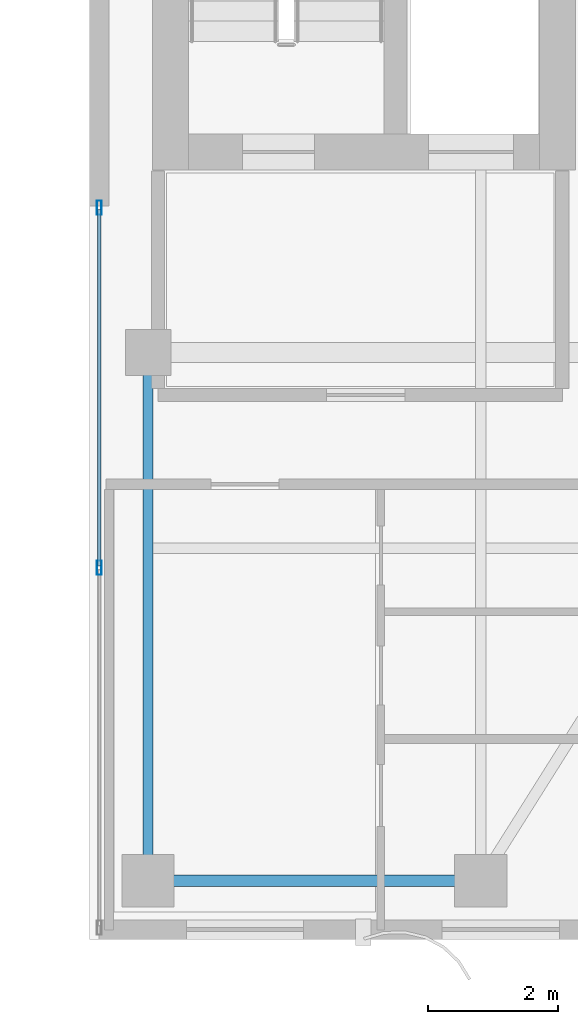
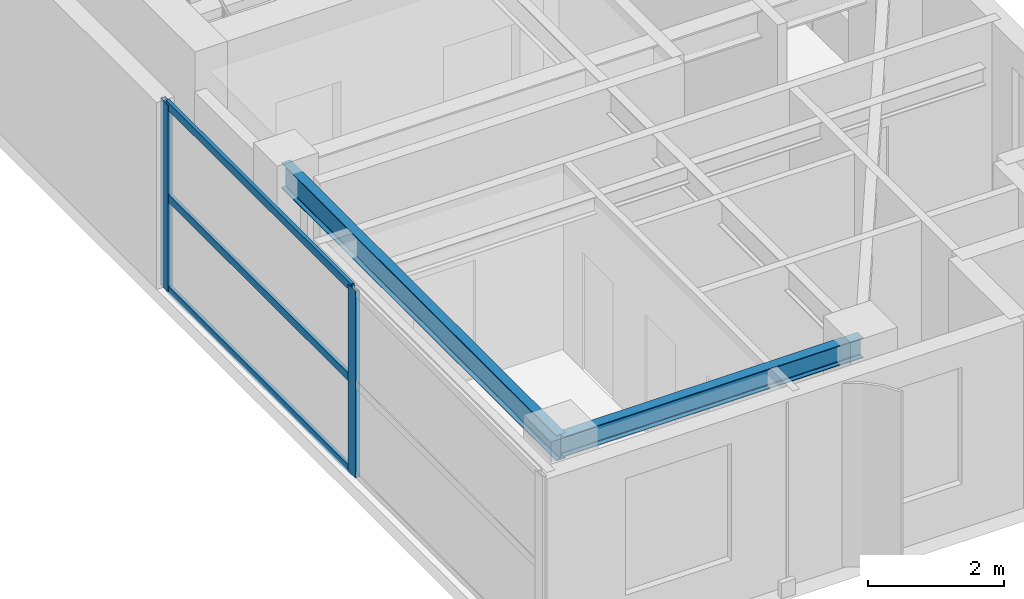
# One storey, part 5 of 24: 5 members, 2 beams, 1 element without a shape of its own.
"""IFC4 building model written with IfcOpenShell, lengths in metres."""

from ifc_helpers import new_model, si_unit, direction, frame, origin, origin_2d, place, context, subcontext, project, spatial, hollow_rectangle, i_section, extrude, source, transform, mapped, material, layer, layer_set, material_profile, profile_set, type_object, element, aggregate, save


model = new_model("IFC4")

# Units and contexts
model_context = context("Model", 3, precision=1e-05, world=origin(), true_north=direction((0.0, 1.0)))
body_context = subcontext(model_context, "Body", "Model", "MODEL_VIEW")
ifc_project = project(units=[si_unit("LENGTHUNIT", "METRE"), si_unit("AREAUNIT", "SQUARE_METRE"), si_unit("VOLUMEUNIT", "CUBIC_METRE"), si_unit("PLANEANGLEUNIT", "RADIAN"), si_unit("MASSUNIT", "GRAM", prefix="KILO")], contexts=[model_context])

# Site, building, storey
site_placement = place(None, origin())
site = spatial("IfcSite", under=ifc_project, at=site_placement, CompositionType="ELEMENT")
building_placement = place(site_placement, origin())
building = spatial("IfcBuilding", under=site, at=building_placement, Name="Khoralis Quay Care Tower", CompositionType="ELEMENT")
storey_placement = place(building_placement, frame((0.0, 0.0, 238.5)))
storey = spatial("IfcBuildingStorey", under=building, at=storey_placement, Name="L62", CompositionType="ELEMENT", Elevation=238.5)

# Beams
ifc_material_1 = material(Name="Steel S355", Category="steel")
ifc_material_profile_1 = material_profile(ifc_material_1, i_section(OverallWidth=0.169921875, OverallDepth=0.360107421875, WebThickness=0.008056640625, FlangeThickness=0.0126953125, FilletRadius=0.01806640625, at=origin_2d()), Name="Steel S355")
ifc_profile_set_1 = profile_set([ifc_material_profile_1], Name="Steel S355")
beam_type_1 = type_object("IfcBeamType", Name="BM-IPE360", PredefinedType="SPANDREL", material=ifc_profile_set_1)
shared_shape_1 = source(origin(), body_context, "Body", "SweptSolid", [
    extrude(i_section(OverallWidth=0.169921875, OverallDepth=0.360107421875, WebThickness=0.008056640625, FlangeThickness=0.0126953125, FilletRadius=0.01806640625, at=origin_2d()), origin(), (0.0, 0.0, 1.0), 5.10009765625),
])
beam_1_placement = place(storey_placement, frame((30.89990234375, 3.89990234375, 3.179931640625), z_axis=(1.0, 0.0, 0.0), x_axis=(0.0, 1.0, 0.0)))
element("IfcBeam", 1, at=beam_1_placement, inside=storey, type_object=beam_type_1, Name="BM-TSP-L62-02", PredefinedType="SPANDREL", context=body_context, shape_type="MappedRepresentation", body=[
    mapped(shared_shape_1, transform((0.0, 0.0, 0.0), scale=1.0)),
])
ifc_material_profile_2 = material_profile(ifc_material_1, i_section(OverallWidth=0.154052734375, OverallDepth=0.458984375, WebThickness=0.009033203125, FlangeThickness=0.015380859375, FilletRadius=0.014892578125, at=origin_2d()), Name="Steel S355")
ifc_profile_set_2 = profile_set([ifc_material_profile_2], Name="Steel S355")
beam_type_2 = type_object("IfcBeamType", Name="BM-W460X68", PredefinedType="BEAM", material=ifc_profile_set_2)
shared_shape_2 = source(origin(), body_context, "Body", "SweptSolid", [
    extrude(i_section(OverallWidth=0.154052734375, OverallDepth=0.458984375, WebThickness=0.009033203125, FlangeThickness=0.015380859375, FilletRadius=0.014892578125, at=origin_2d()), origin(), (0.0, 0.0, 1.0), 8.10009765625),
])
beam_2_placement = place(storey_placement, frame((30.89990234375, 3.89990234375, 3.130615234375), z_axis=(0.0, 1.0, 0.0), x_axis=(-1.0, 0.0, 0.0)))
element("IfcBeam", 2, at=beam_2_placement, inside=storey, type_object=beam_type_2, Name="BM-TGYS-L62-309", PredefinedType="BEAM", context=body_context, shape_type="MappedRepresentation", body=[
    mapped(shared_shape_2, transform((0.0, 0.0, 0.0), scale=1.0)),
])

# Curtain wall, members
ifc_material_2 = material(Name="Pale anodised aluminium", Category="aluminium")
ifc_layer = layer(ifc_material_2, 0.18994140625)
ifc_layer_set = layer_set([ifc_layer], Name="Pale anodised aluminium")
curtain_wall_type = type_object("IfcCurtainWallType", Name="CW-SYS-PORTAL", PredefinedType="NOTDEFINED", material=ifc_layer_set)
curtain_wall_placement = place(storey_placement, origin())
curtain_wall = element("IfcCurtainWall", 3, at=curtain_wall_placement, inside=storey, type_object=curtain_wall_type, Name="L62 Unitised Curtain Wall CW-VP-L62-P2-S", PredefinedType="NOTDEFINED")
ifc_material_profile_3 = material_profile(ifc_material_2, hollow_rectangle(XDim=0.074951171875, YDim=0.219970703125, WallThickness=0.00390625, at=origin_2d()), Name="Pale anodised aluminium")
ifc_profile_set_3 = profile_set([ifc_material_profile_3], Name="Pale anodised aluminium")
member_type_1 = type_object("IfcMemberType", Name="CW-MUL-220", PredefinedType="MULLION", material=ifc_profile_set_3)
shared_shape_3 = source(origin(), body_context, "Body", "SweptSolid", [
    extrude(hollow_rectangle(XDim=0.074951171875, YDim=0.219970703125, WallThickness=0.00390625, at=origin_2d()), origin(), (0.0, 0.0, 1.0), 3.360107421875),
])
member_1_placement = place(storey_placement, frame((30.14990234375, 8.699951171875, 0.0), z_axis=(0.0, 0.0, 1.0), x_axis=(-1.0, 0.0, 0.0)))
member_1 = element("IfcMember", 4, at=member_1_placement, type_object=member_type_1, Name="CW4 mullion 2", PredefinedType="MULLION", context=body_context, shape_type="MappedRepresentation", body=[
    mapped(shared_shape_3, transform((0.0, 0.0, 0.0), scale=1.0)),
])
member_2_placement = place(storey_placement, frame((30.14990234375, 14.219970703125, 0.0), z_axis=(0.0, 0.0, 1.0), x_axis=(-1.0, 0.0, 0.0)))
member_2 = element("IfcMember", 5, at=member_2_placement, type_object=member_type_1, Name="CW4 mullion 3", PredefinedType="MULLION", context=body_context, shape_type="MappedRepresentation", body=[
    mapped(shared_shape_3, transform((0.0, 0.0, 0.0), scale=1.0)),
])
ifc_material_profile_4 = material_profile(ifc_material_2, hollow_rectangle(XDim=0.06005859375, YDim=0.139892578125, WallThickness=0.00390625, at=origin_2d()), Name="Pale anodised aluminium")
ifc_profile_set_4 = profile_set([ifc_material_profile_4], Name="Pale anodised aluminium")
member_type_2 = type_object("IfcMemberType", Name="CW-TRN-140", PredefinedType="USERDEFINED", material=ifc_profile_set_4)
shared_shape_4 = source(origin(), body_context, "Body", "SweptSolid", [
    extrude(hollow_rectangle(XDim=0.06005859375, YDim=0.139892578125, WallThickness=0.00390625, at=origin_2d()), origin(), (0.0, 0.0, 1.0), 5.4599609375),
])
member_3_placement = place(storey_placement, frame((30.14990234375, 8.72998046875, 0.030029296875), z_axis=(0.0, 1.0, 0.0), x_axis=(-1.0, 0.0, 0.0)))
member_3 = element("IfcMember", 6, at=member_3_placement, type_object=member_type_2, Name="CW4 transom 2.1", ObjectType="TRANSOM", PredefinedType="USERDEFINED", context=body_context, shape_type="MappedRepresentation", body=[
    mapped(shared_shape_4, transform((0.0, 0.0, 0.0), scale=1.0)),
])
member_4_placement = place(storey_placement, frame((30.14990234375, 8.72998046875, 1.679931640625), z_axis=(0.0, 1.0, 0.0), x_axis=(-1.0, 0.0, 0.0)))
member_4 = element("IfcMember", 7, at=member_4_placement, type_object=member_type_2, Name="CW4 transom 2.2", ObjectType="TRANSOM", PredefinedType="USERDEFINED", context=body_context, shape_type="MappedRepresentation", body=[
    mapped(shared_shape_4, transform((0.0, 0.0, 0.0), scale=1.0)),
])
member_5_placement = place(storey_placement, frame((30.14990234375, 8.72998046875, 3.330078125), z_axis=(0.0, 1.0, 0.0), x_axis=(-1.0, 0.0, 0.0)))
member_5 = element("IfcMember", 8, at=member_5_placement, type_object=member_type_2, Name="CW4 transom 2.3", ObjectType="TRANSOM", PredefinedType="USERDEFINED", context=body_context, shape_type="MappedRepresentation", body=[
    mapped(shared_shape_4, transform((0.0, 0.0, 0.0), scale=1.0)),
])
aggregate(curtain_wall, [member_1, member_2, member_3, member_4, member_5])

save(model, "model.ifc")
